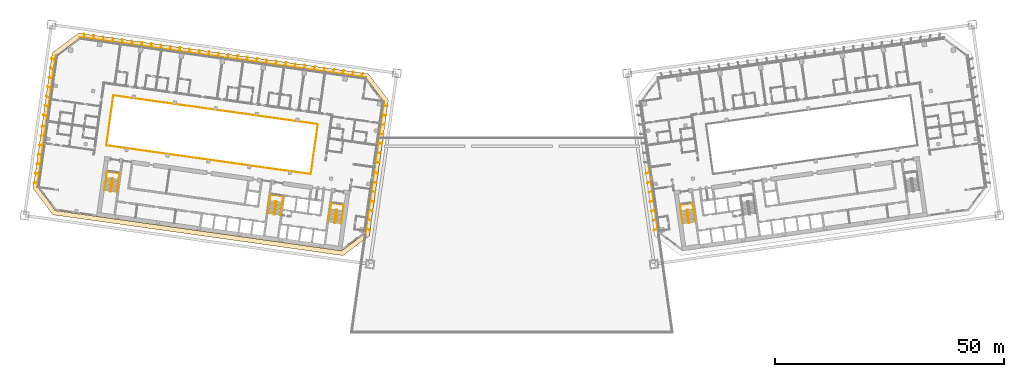
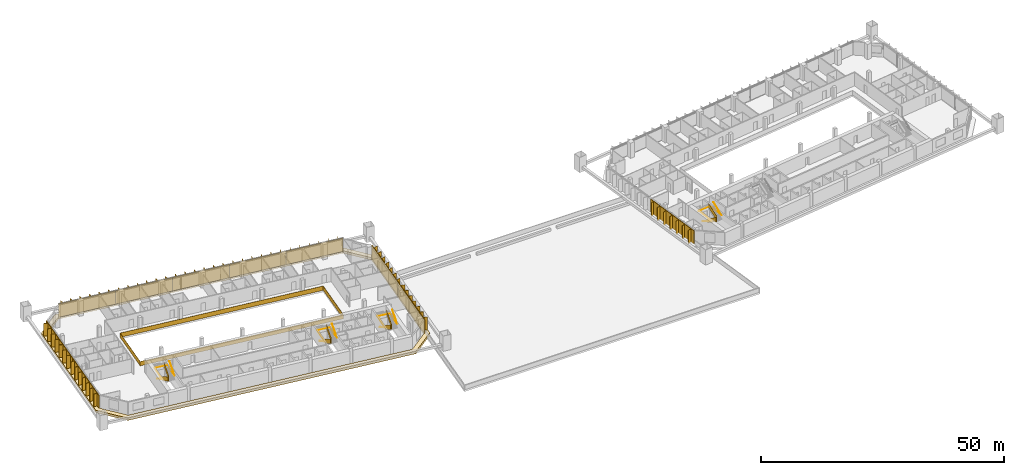
# One storey, part 45 of 46: 10 shading devices, 9 railings, 1 covering.
"""IFC4 building model written with IfcOpenShell, lengths in metres."""

import ifcopenshell
import ifcopenshell.guid

model = None  # the IFC model being written
_history = None  # IfcOwnerHistory: only IFC2X3 demands one
_inside = {}  # id of a spatial element -> (the spatial element, [elements in it])
_under = {}  # id of a project, library or spatial element -> (it, [spatial elements below it])
_declared = {}  # id of a project -> (the project, [libraries it declares])
_typed = {}  # id of a type object -> (the type object, [elements of that type])
_made_of = {}  # id of a material, layer set ... -> (it, [elements and type objects made of it])


def new_model(schema):
    """Start an empty IFC model of exactly this schema.

    Asked for "IFC4X3", IfcOpenShell would pick the latest addendum, in which some entities
    have other attributes; the version numbers below select the first issue.
    IFC2X3 requires an IfcOwnerHistory on every rooted entity: one is made here for all.
    """
    global model, _history
    if schema == "IFC4X3":
        model = ifcopenshell.file(schema_version=(4, 3, 0, 0))
    else:
        model = ifcopenshell.file(schema=schema)
    _inside.clear()
    _under.clear()
    _declared.clear()
    _typed.clear()
    _made_of.clear()
    _history = None
    if model.schema == "IFC2X3":
        org = make("IfcOrganization", Name="unknown")
        user = make(
            "IfcPersonAndOrganization",
            ThePerson=make("IfcPerson", FamilyName="unknown"),
            TheOrganization=org,
        )
        app = make(
            "IfcApplication",
            ApplicationDeveloper=org,
            Version="unknown",
            ApplicationFullName="unknown",
            ApplicationIdentifier="unknown",
        )
        _history = make(
            "IfcOwnerHistory",
            OwningUser=user,
            OwningApplication=app,
            ChangeAction="ADDED",
            CreationDate=0,
        )
    return model


def make(cls, **values):
    """One entity of the class cls with the attributes given. An attribute that is None is left unset."""
    return model.create_entity(
        cls, **{name: value for name, value in values.items() if value is not None}
    )


def rooted(cls, **values):
    """An entity with a GlobalId (a new one), such as an element, a storey or a relation."""
    return make(cls, GlobalId=ifcopenshell.guid.new(), OwnerHistory=_history, **values)


def si_unit(unit_type, name, prefix=None):
    """IfcSIUnit, for example si_unit("LENGTHUNIT", "METRE", prefix="MILLI")."""
    return make("IfcSIUnit", UnitType=unit_type, Prefix=prefix, Name=name)


def assignment(units):
    """IfcUnitAssignment: the units of a project."""
    return None if units is None else make("IfcUnitAssignment", Units=units)


def point(xyz):
    """IfcCartesianPoint."""
    return None if xyz is None else make("IfcCartesianPoint", Coordinates=xyz)


def direction(xyz):
    """IfcDirection."""
    return None if xyz is None else make("IfcDirection", DirectionRatios=xyz)


def frame(location, z_axis=None, x_axis=None):
    """IfcAxis2Placement3D, a coordinate frame: its origin and axes. An axis left out is left unset."""
    return make(
        "IfcAxis2Placement3D",
        Location=point(location),
        Axis=direction(z_axis),
        RefDirection=direction(x_axis),
    )


def frame_2d(location, x_axis=None):
    """IfcAxis2Placement2D, a coordinate frame in the plane: its origin and x axis."""
    return make(
        "IfcAxis2Placement2D", Location=point(location), RefDirection=direction(x_axis)
    )


def origin():
    """The frame at (0, 0, 0) with its axes left unset."""
    return frame((0.0, 0.0, 0.0))


def origin_2d():
    """The frame at (0, 0) in the plane with its x axis left unset."""
    return frame_2d((0.0, 0.0))


def place(relative_to, where):
    """IfcLocalPlacement: puts the frame where relative to a parent placement (None: the world)."""
    return make(
        "IfcLocalPlacement", PlacementRelTo=relative_to, RelativePlacement=where
    )


def context(
    kind, dimensions, precision=None, world=None, true_north=None, identifier=None
):
    """IfcGeometricRepresentationContext, for example the 3D "Model" context."""
    return make(
        "IfcGeometricRepresentationContext",
        ContextIdentifier=identifier,
        ContextType=kind,
        CoordinateSpaceDimension=dimensions,
        Precision=precision,
        WorldCoordinateSystem=world,
        TrueNorth=true_north,
    )


def subcontext(parent, identifier, kind, view, scale=None):
    """IfcGeometricRepresentationSubContext, for example "Body" below "Model"."""
    return make(
        "IfcGeometricRepresentationSubContext",
        ContextIdentifier=identifier,
        ContextType=kind,
        ParentContext=parent,
        TargetScale=scale,
        TargetView=view,
    )


def project(units=None, contexts=None):
    """IfcProject with its units and contexts."""
    return rooted(
        "IfcProject",
        Name="project",
        RepresentationContexts=contexts,
        UnitsInContext=assignment(units),
    )


def spatial(cls, under=None, at=None, **own):
    """A site, building, storey or space (cls), placed at a placement, below another one or the project."""
    s = rooted(cls, ObjectPlacement=at, **own)
    if under is not None:
        _under.setdefault(under.id(), (under, []))[1].append(s)
    return s


def polyline(points):
    """IfcPolyline through the points."""
    return make("IfcPolyline", Points=[point(p) for p in points])


def profile(cls, at=None, kind="AREA", **sizes):
    """A parametric profile (cls). Its sizes go by their IFC names, for example OverallWidth=200.0."""
    return make(cls, ProfileType=kind, Position=at, **sizes)


def rectangle(**sizes):
    """IfcRectangleProfileDef."""
    return profile("IfcRectangleProfileDef", **sizes)


def outline(outer, holes=None, kind="AREA"):
    """IfcArbitraryClosedProfileDef: a profile drawn as a closed curve; with holes, ...WithVoids."""
    if holes is None:
        return make("IfcArbitraryClosedProfileDef", ProfileType=kind, OuterCurve=outer)
    return make(
        "IfcArbitraryProfileDefWithVoids",
        ProfileType=kind,
        OuterCurve=outer,
        InnerCurves=holes,
    )


def extrude(swept, where, along, depth):
    """IfcExtrudedAreaSolid: the profile swept, set in the frame where, extruded along a direction by depth."""
    return make(
        "IfcExtrudedAreaSolid",
        SweptArea=swept,
        Position=where,
        ExtrudedDirection=direction(along),
        Depth=depth,
    )


def shape(context_of_items, identifier, shape_type, items):
    """IfcShapeRepresentation: the items that make up one representation, for example the "Body"."""
    return make(
        "IfcShapeRepresentation",
        ContextOfItems=context_of_items,
        RepresentationIdentifier=identifier,
        RepresentationType=shape_type,
        Items=items,
    )


def material(Name=None, Category=None):
    """IfcMaterial."""
    return make("IfcMaterial", Name=Name, Category=Category)


def layer(
    of_material, thickness, ventilated=None, Name=None, Category=None, Priority=None
):
    """IfcMaterialLayer: one layer of a wall or slab, of a material (None: an air gap)."""
    return make(
        "IfcMaterialLayer",
        Material=of_material,
        LayerThickness=thickness,
        IsVentilated=ventilated,
        Name=Name,
        Category=Category,
        Priority=Priority,
    )


def layer_set(layers, Name=None):
    """IfcMaterialLayerSet."""
    return make("IfcMaterialLayerSet", MaterialLayers=layers, LayerSetName=Name)


def made_of(thing, what):
    """Note that an element or type object is made of a material, layer set ...; save() writes the relation."""
    if what is not None:
        _made_of.setdefault(what.id(), (what, []))[1].append(thing)
    return thing


def type_object(cls, material=None, **own):
    """A type object (cls), such as IfcWallType, which elements share."""
    return made_of(rooted(cls, **own), material)


def element(
    cls,
    number,
    at=None,
    inside=None,
    cuts=None,
    type_object=None,
    material=None,
    context=None,
    identifier="Body",
    shape_type=None,
    held_by="IfcProductDefinitionShape",
    body=None,
    shapes=None,
    **own,
):
    """One element of the class cls, such as IfcWall. Its Tag is "e" and its number.

    at: its placement. inside: the storey or other place that contains it. cuts: it is an
    opening in that element (IfcRelVoidsElement). A single representation is given by context,
    identifier, shape_type and body (its items); several are given by shapes. held_by: the class
    of the entity that holds the representations. save() writes the other relations.
    """
    e = rooted(cls, Tag="e%d" % number, ObjectPlacement=at, **own)
    if body is not None:
        shapes = [shape(context, identifier, shape_type, body)]
    if shapes is not None:
        e.Representation = make(held_by, Representations=shapes)
    if inside is not None:
        _inside.setdefault(inside.id(), (inside, []))[1].append(e)
    if cuts is not None:
        rooted(
            "IfcRelVoidsElement", RelatingBuildingElement=cuts, RelatedOpeningElement=e
        )
    if type_object is not None:
        _typed.setdefault(type_object.id(), (type_object, []))[1].append(e)
    return made_of(e, material)


def aggregate(whole, parts):
    """IfcRelAggregates: a whole, such as a stair, and the parts it consists of."""
    return rooted("IfcRelAggregates", RelatingObject=whole, RelatedObjects=parts)


def save(model, path):
    """Write the relations noted so far, then the file.

    IfcRelAggregates (storeys below a building ...), IfcRelContainedInSpatialStructure (elements
    in a storey), IfcRelDefinesByType, IfcRelAssociatesMaterial and IfcRelDeclares: one each for
    every whole, place, type object, material and project.
    """
    for whole, parts in _under.values():
        aggregate(whole, parts)
    for where, things in _inside.values():
        rooted(
            "IfcRelContainedInSpatialStructure",
            RelatedElements=things,
            RelatingStructure=where,
        )
    for kind, things in _typed.values():
        rooted("IfcRelDefinesByType", RelatedObjects=things, RelatingType=kind)
    for what, things in _made_of.values():
        rooted("IfcRelAssociatesMaterial", RelatedObjects=things, RelatingMaterial=what)
    for by, libraries in _declared.values():
        rooted("IfcRelDeclares", RelatingContext=by, RelatedDefinitions=libraries)
    model.write(path)


model = new_model("IFC4")

# Units and contexts
model_context = context("Model", 3, precision=1e-05, world=origin(), true_north=direction((0.0, 1.0)))
body_context = subcontext(model_context, "Body", "Model", "MODEL_VIEW")
ifc_project = project(units=[si_unit("LENGTHUNIT", "METRE"), si_unit("AREAUNIT", "SQUARE_METRE"), si_unit("VOLUMEUNIT", "CUBIC_METRE"), si_unit("PLANEANGLEUNIT", "RADIAN"), si_unit("MASSUNIT", "GRAM", prefix="KILO")], contexts=[model_context])

# Site, building, storey
site_placement = place(None, origin())
site = spatial("IfcSite", under=ifc_project, at=site_placement, CompositionType="ELEMENT")
building_placement = place(site_placement, origin())
building = spatial("IfcBuilding", under=site, at=building_placement, Name="Mirante Cascada Hotel Towers", CompositionType="ELEMENT")
storey_placement = place(building_placement, frame((0.0, 0.0, 39.5)))
storey = spatial("IfcBuildingStorey", under=building, at=storey_placement, Name="L06", CompositionType="ELEMENT", Elevation=39.5)

# Railing
ifc_material_1 = material(Name="Toughened glass with stainless steel handrail", Category="steel")
railing_type_1 = type_object("IfcRailingType", Name="Atrium guard 1100 glass balustrade", PredefinedType="GUARDRAIL", material=ifc_material_1)
railing_1_placement = place(storey_placement, frame((-43.8418, -3.4881, 0.0)))
element("IfcRailing", 1, at=railing_1_placement, inside=storey, type_object=railing_type_1, Name="GUARD 1-L06-1", PredefinedType="GUARDRAIL", context=body_context, shape_type="SweptSolid", body=[
    extrude(rectangle(XDim=0.048, YDim=0.048, at=origin_2d()), frame((0.0, 0.0, 1.076), z_axis=(-0.9902681, 0.1391732, 0.0), x_axis=(-0.1391732, -0.9902681, 0.0)), (0.0, 0.0, 1.0), 45.0),
    extrude(rectangle(XDim=0.02, YDim=1.052, at=origin_2d()), frame((0.0, 0.0, 0.526), z_axis=(-0.9902681, 0.1391732, 0.0), x_axis=(-0.1391732, -0.9902681, 0.0)), (0.0, 0.0, 1.0), 45.0),
    extrude(rectangle(XDim=0.048, YDim=0.048, at=origin_2d()), frame((-44.5621, 6.2628, 1.076), z_axis=(0.1391721, 0.9902682, 0.0), x_axis=(-0.9902682, 0.1391721, 0.0)), (0.0, 0.0, 1.0), 11.0001),
    extrude(rectangle(XDim=0.02, YDim=1.052, at=origin_2d()), frame((-44.5621, 6.2628, 0.526), z_axis=(0.1391721, 0.9902682, 0.0), x_axis=(-0.9902682, 0.1391721, 0.0)), (0.0, 0.0, 1.0), 11.0001),
    extrude(rectangle(XDim=0.048, YDim=0.048, at=origin_2d()), frame((-43.0312, 17.1558, 1.076), z_axis=(0.9902681, -0.1391732, 0.0), x_axis=(0.1391732, 0.9902681, 0.0)), (0.0, 0.0, 1.0), 45.0),
    extrude(rectangle(XDim=0.02, YDim=1.052, at=origin_2d()), frame((-43.0312, 17.1558, 0.526), z_axis=(0.9902681, -0.1391732, 0.0), x_axis=(0.1391732, 0.9902681, 0.0)), (0.0, 0.0, 1.0), 45.0),
    extrude(rectangle(XDim=0.048, YDim=0.048, at=origin_2d()), frame((1.5309, 10.893, 1.076), z_axis=(-0.1391721, -0.9902682, 0.0), x_axis=(0.9902682, -0.1391721, 0.0)), (0.0, 0.0, 1.0), 11.0001),
    extrude(rectangle(XDim=0.02, YDim=1.052, at=origin_2d()), frame((1.5309, 10.893, 0.526), z_axis=(-0.1391721, -0.9902682, 0.0), x_axis=(0.9902682, -0.1391721, 0.0)), (0.0, 0.0, 1.0), 11.0001),
])

# Covering
ifc_material_2 = material(Name="Precast concrete C40/50 white", Category="concrete")
ifc_layer = layer(ifc_material_2, 0.6)
ifc_layer_set = layer_set([ifc_layer], Name="Precast concrete SUNSHADE band 1000x600")
covering_type = type_object("IfcCoveringType", Name="Precast concrete SUNSHADE band 1000x600", PredefinedType="CLADDING", material=ifc_layer_set)
covering_placement = place(storey_placement, frame((0.0, 0.0, -0.45)))
element("IfcCovering", 2, at=covering_placement, inside=storey, type_object=covering_type, Name="Precast concrete SUNSHADE band T1 L06", PredefinedType="CLADDING", context=body_context, shape_type="SweptSolid", body=[
    extrude(outline(polyline([(-104.3652, -6.6094), (-100.2139, 22.9287), (-94.4698, 27.2572), (-31.2626, 18.374), (-26.9341, 12.6299), (-31.0854, -16.9082), (-36.8295, -21.2367), (-100.0367, -12.3535), (-104.3652, -6.6094)]), holes=[polyline([(-27.982, 12.3589), (-31.8119, 17.4414), (-94.1988, 26.2093), (-99.2813, 22.3794), (-103.3173, -6.3384), (-99.4874, -11.4209), (-37.1005, -20.1888), (-32.018, -16.3589), (-27.982, 12.3589)])]), origin(), (0.0, 0.0, 1.0), 0.6),
])

# Railings
ifc_material_3 = material(Name="Painted steel", Category="steel")
railing_type_2 = type_object("IfcRailingType", Name="Stair guard 1100 steel balustrade", PredefinedType="GUARDRAIL", material=ifc_material_3)
railing_2_placement = place(storey_placement, frame((-38.1178, -11.2603, 0.0)))
element("IfcRailing", 3, at=railing_2_placement, inside=storey, type_object=railing_type_2, Name="L06 ST1-A stair guard 1", PredefinedType="GUARDRAIL", context=body_context, shape_type="SweptSolid", body=[
    extrude(rectangle(XDim=0.048, YDim=0.048, at=origin_2d()), frame((0.0, 0.0, 1.076), z_axis=(-0.9903326, 0.1387133, 0.0), x_axis=(-0.1387133, -0.9903326, 0.0)), (0.0, 0.0, 1.0), 0.1499),
    extrude(rectangle(XDim=0.02, YDim=1.052, at=origin_2d()), frame((0.0, 0.0, 0.526), z_axis=(-0.9903326, 0.1387133, 0.0), x_axis=(-0.1387133, -0.9903326, 0.0)), (0.0, 0.0, 1.0), 0.1499),
    extrude(rectangle(XDim=0.048, YDim=0.048, at=origin_2d()), frame((-0.1485, 0.0208, 1.076), z_axis=(-0.7991505, -0.6011309, 0.0), x_axis=(0.6011309, -0.7991505, 0.0)), (0.0, 0.9254529, 0.3788627), 0.1866),
    extrude(rectangle(XDim=0.02, YDim=1.052, at=origin_2d()), frame((-0.1485, 0.0208, 0.526), z_axis=(-0.7991505, -0.6011309, 0.0), x_axis=(0.6011309, -0.7991505, 0.0)), (0.0, 0.9254529, 0.3788627), 0.1866),
    extrude(rectangle(XDim=0.048, YDim=0.048, at=origin_2d()), frame((-0.205, -0.0217, 1.2487), z_axis=(-0.139176, -0.9902677, 0.0), x_axis=(0.9902677, -0.139176, 0.0)), (0.0, 0.5250212, 0.8510891), 3.29),
    extrude(rectangle(XDim=0.02, YDim=1.052, at=origin_2d()), frame((-0.205, -0.0217, 0.6987), z_axis=(-0.139176, -0.9902677, 0.0), x_axis=(0.9902677, -0.139176, 0.0)), (0.0, 0.5250212, 0.8510891), 3.29),
    extrude(rectangle(XDim=0.048, YDim=0.048, at=origin_2d()), frame((-0.5947, -2.7945, 2.976), z_axis=(0.9270311, -0.3749843, 0.0), x_axis=(0.3749843, 0.9270311, 0.0)), (0.0, 0.0, 1.0), 0.2061),
    extrude(rectangle(XDim=0.02, YDim=1.052, at=origin_2d()), frame((-0.5947, -2.7945, 2.426), z_axis=(0.9270311, -0.3749843, 0.0), x_axis=(0.3749843, 0.9270311, 0.0)), (0.0, 0.0, 1.0), 0.2061),
    extrude(rectangle(XDim=0.048, YDim=0.048, at=origin_2d()), frame((-0.4036, -2.8718, 2.976), z_axis=(-0.9902408, 0.1393672, 0.0), x_axis=(-0.1393672, -0.9902408, 0.0)), (0.0, 0.0, 1.0), 0.15),
    extrude(rectangle(XDim=0.02, YDim=1.052, at=origin_2d()), frame((-0.4036, -2.8718, 2.426), z_axis=(-0.9902408, 0.1393672, 0.0), x_axis=(-0.1393672, -0.9902408, 0.0)), (0.0, 0.0, 1.0), 0.15),
    extrude(rectangle(XDim=0.048, YDim=0.048, at=origin_2d()), frame((-0.5521, -2.8509, 2.976), z_axis=(0.9944948, 0.1047858, 0.0), x_axis=(-0.1047858, 0.9944948, 0.0)), (0.0, 0.6422034, 0.7665343), 0.2689),
    extrude(rectangle(XDim=0.02, YDim=1.052, at=origin_2d()), frame((-0.5521, -2.8509, 2.426), z_axis=(0.9944948, 0.1047858, 0.0), x_axis=(-0.1047858, 0.9944948, 0.0)), (0.0, 0.6422034, 0.7665343), 0.2689),
    extrude(rectangle(XDim=0.048, YDim=0.048, at=origin_2d()), frame((-0.3471, -2.8293, 3.1487), z_axis=(0.139176, 0.9902677, 0.0), x_axis=(-0.9902677, 0.139176, 0.0)), (0.0, 0.5250212, 0.8510891), 3.29),
    extrude(rectangle(XDim=0.02, YDim=1.052, at=origin_2d()), frame((-0.3471, -2.8293, 2.5987), z_axis=(0.139176, 0.9902677, 0.0), x_axis=(-0.9902677, 0.139176, 0.0)), (0.0, 0.5250212, 0.8510891), 3.29),
])
railing_3_placement = place(storey_placement, frame((-51.3379, -9.4024, 0.0)))
element("IfcRailing", 4, at=railing_3_placement, inside=storey, type_object=railing_type_2, Name="L06 ST1-B stair guard 1", PredefinedType="GUARDRAIL", context=body_context, shape_type="SweptSolid", body=[
    extrude(rectangle(XDim=0.048, YDim=0.048, at=origin_2d()), frame((0.0, 0.0, 1.076), z_axis=(-0.9902408, 0.1393672, 0.0), x_axis=(-0.1393672, -0.9902408, 0.0)), (0.0, 0.0, 1.0), 0.15),
    extrude(rectangle(XDim=0.02, YDim=1.052, at=origin_2d()), frame((0.0, 0.0, 0.526), z_axis=(-0.9902408, 0.1393672, 0.0), x_axis=(-0.1393672, -0.9902408, 0.0)), (0.0, 0.0, 1.0), 0.15),
    extrude(rectangle(XDim=0.048, YDim=0.048, at=origin_2d()), frame((-0.1485, 0.0209, 1.076), z_axis=(-0.7984711, -0.6020331, 0.0), x_axis=(0.6020331, -0.7984711, 0.0)), (0.0, 0.9253398, 0.3791387), 0.1866),
    extrude(rectangle(XDim=0.02, YDim=1.052, at=origin_2d()), frame((-0.1485, 0.0209, 0.526), z_axis=(-0.7984711, -0.6020331, 0.0), x_axis=(0.6020331, -0.7984711, 0.0)), (0.0, 0.9253398, 0.3791387), 0.1866),
    extrude(rectangle(XDim=0.048, YDim=0.048, at=origin_2d()), frame((-0.205, -0.0217, 1.2487), z_axis=(-0.139181, -0.990267, 0.0), x_axis=(0.990267, -0.139181, 0.0)), (0.0, 0.5250347, 0.8510808), 3.2899),
    extrude(rectangle(XDim=0.02, YDim=1.052, at=origin_2d()), frame((-0.205, -0.0217, 0.6987), z_axis=(-0.139181, -0.990267, 0.0), x_axis=(0.990267, -0.139181, 0.0)), (0.0, 0.5250347, 0.8510808), 3.2899),
    extrude(rectangle(XDim=0.048, YDim=0.048, at=origin_2d()), frame((-0.5947, -2.7944, 2.976), z_axis=(0.9268624, -0.3754011, 0.0), x_axis=(0.3754011, 0.9268624, 0.0)), (0.0, 0.0, 1.0), 0.2062),
    extrude(rectangle(XDim=0.02, YDim=1.052, at=origin_2d()), frame((-0.5947, -2.7944, 2.426), z_axis=(0.9268624, -0.3754011, 0.0), x_axis=(0.3754011, 0.9268624, 0.0)), (0.0, 0.0, 1.0), 0.2062),
    extrude(rectangle(XDim=0.048, YDim=0.048, at=origin_2d()), frame((-0.4036, -2.8718, 2.976), z_axis=(-0.9902408, 0.1393672, 0.0), x_axis=(-0.1393672, -0.9902408, 0.0)), (0.0, 0.0, 1.0), 0.15),
    extrude(rectangle(XDim=0.02, YDim=1.052, at=origin_2d()), frame((-0.4036, -2.8718, 2.426), z_axis=(-0.9902408, 0.1393672, 0.0), x_axis=(-0.1393672, -0.9902408, 0.0)), (0.0, 0.0, 1.0), 0.15),
    extrude(rectangle(XDim=0.048, YDim=0.048, at=origin_2d()), frame((-0.5521, -2.8509, 2.976), z_axis=(0.9944441, 0.1052656, 0.0), x_axis=(-0.1052656, 0.9944441, 0.0)), (0.0, 0.6421842, 0.7665504), 0.2689),
    extrude(rectangle(XDim=0.02, YDim=1.052, at=origin_2d()), frame((-0.5521, -2.8509, 2.426), z_axis=(0.9944441, 0.1052656, 0.0), x_axis=(-0.1052656, 0.9944441, 0.0)), (0.0, 0.6421842, 0.7665504), 0.2689),
    extrude(rectangle(XDim=0.048, YDim=0.048, at=origin_2d()), frame((-0.3471, -2.8292, 3.1487), z_axis=(0.139181, 0.990267, 0.0), x_axis=(-0.990267, 0.139181, 0.0)), (0.0, 0.5250347, 0.8510808), 3.2899),
    extrude(rectangle(XDim=0.02, YDim=1.052, at=origin_2d()), frame((-0.3471, -2.8292, 2.5987), z_axis=(0.139181, 0.990267, 0.0), x_axis=(-0.990267, 0.139181, 0.0)), (0.0, 0.5250347, 0.8510808), 3.2899),
])
railing_4_placement = place(storey_placement, frame((-86.9875, -4.3922, 0.0)))
element("IfcRailing", 5, at=railing_4_placement, inside=storey, type_object=railing_type_2, Name="L06 ST1-C stair guard 1", PredefinedType="GUARDRAIL", context=body_context, shape_type="SweptSolid", body=[
    extrude(rectangle(XDim=0.048, YDim=0.048, at=origin_2d()), frame((0.0, 0.0, 1.076), z_axis=(-0.9902537, 0.1392753, 0.0), x_axis=(-0.1392753, -0.9902537, 0.0)), (0.0, 0.0, 1.0), 0.1501),
    extrude(rectangle(XDim=0.02, YDim=1.052, at=origin_2d()), frame((0.0, 0.0, 0.526), z_axis=(-0.9902537, 0.1392753, 0.0), x_axis=(-0.1392753, -0.9902537, 0.0)), (0.0, 0.0, 1.0), 0.1501),
    extrude(rectangle(XDim=0.048, YDim=0.048, at=origin_2d()), frame((-0.1486, 0.0209, 1.076), z_axis=(-0.7986386, -0.601811, 0.0), x_axis=(0.601811, -0.7986386, 0.0)), (0.0, 0.925603, 0.3784959), 0.1866),
    extrude(rectangle(XDim=0.02, YDim=1.052, at=origin_2d()), frame((-0.1486, 0.0209, 0.526), z_axis=(-0.7986386, -0.601811, 0.0), x_axis=(0.601811, -0.7986386, 0.0)), (0.0, 0.925603, 0.3784959), 0.1866),
    extrude(rectangle(XDim=0.048, YDim=0.048, at=origin_2d()), frame((-0.205, -0.0216, 1.2487), z_axis=(-0.139176, -0.9902677, 0.0), x_axis=(0.9902677, -0.139176, 0.0)), (0.0, 0.5250212, 0.8510891), 3.29),
    extrude(rectangle(XDim=0.02, YDim=1.052, at=origin_2d()), frame((-0.205, -0.0216, 0.6987), z_axis=(-0.139176, -0.9902677, 0.0), x_axis=(0.9902677, -0.139176, 0.0)), (0.0, 0.5250212, 0.8510891), 3.29),
    extrude(rectangle(XDim=0.048, YDim=0.048, at=origin_2d()), frame((-0.5947, -2.7944, 2.976), z_axis=(0.9270311, -0.3749843, 0.0), x_axis=(0.3749843, 0.9270311, 0.0)), (0.0, 0.0, 1.0), 0.2061),
    extrude(rectangle(XDim=0.02, YDim=1.052, at=origin_2d()), frame((-0.5947, -2.7944, 2.426), z_axis=(0.9270311, -0.3749843, 0.0), x_axis=(0.3749843, 0.9270311, 0.0)), (0.0, 0.0, 1.0), 0.2061),
    extrude(rectangle(XDim=0.048, YDim=0.048, at=origin_2d()), frame((-0.4036, -2.8717, 2.976), z_axis=(-0.9903454, 0.1386217, 0.0), x_axis=(-0.1386217, -0.9903454, 0.0)), (0.0, 0.0, 1.0), 0.15),
    extrude(rectangle(XDim=0.02, YDim=1.052, at=origin_2d()), frame((-0.4036, -2.8717, 2.426), z_axis=(-0.9903454, 0.1386217, 0.0), x_axis=(-0.1386217, -0.9903454, 0.0)), (0.0, 0.0, 1.0), 0.15),
    extrude(rectangle(XDim=0.048, YDim=0.048, at=origin_2d()), frame((-0.5522, -2.8509, 2.976), z_axis=(0.9944441, 0.1052656, 0.0), x_axis=(-0.1052656, 0.9944441, 0.0)), (0.0, 0.6421842, 0.7665504), 0.2689),
    extrude(rectangle(XDim=0.02, YDim=1.052, at=origin_2d()), frame((-0.5522, -2.8509, 2.426), z_axis=(0.9944441, 0.1052656, 0.0), x_axis=(-0.1052656, 0.9944441, 0.0)), (0.0, 0.6421842, 0.7665504), 0.2689),
    extrude(rectangle(XDim=0.048, YDim=0.048, at=origin_2d()), frame((-0.3472, -2.8292, 3.1487), z_axis=(0.139176, 0.9902677, 0.0), x_axis=(-0.9902677, 0.139176, 0.0)), (0.0, 0.5250212, 0.8510891), 3.29),
    extrude(rectangle(XDim=0.02, YDim=1.052, at=origin_2d()), frame((-0.3472, -2.8292, 2.5987), z_axis=(0.139176, 0.9902677, 0.0), x_axis=(-0.9902677, 0.139176, 0.0)), (0.0, 0.5250212, 0.8510891), 3.29),
])
railing_5_placement = place(storey_placement, frame((38.2663, -11.2395, 0.0)))
element("IfcRailing", 6, at=railing_5_placement, inside=storey, type_object=railing_type_2, Name="L06 ST2-A stair guard 1", PredefinedType="GUARDRAIL", context=body_context, shape_type="SweptSolid", body=[
    extrude(rectangle(XDim=0.048, YDim=0.048, at=origin_2d()), frame((0.0, 0.0, 1.076), z_axis=(-0.9903326, -0.1387133, 0.0), x_axis=(0.1387133, -0.9903326, 0.0)), (0.0, 0.0, 1.0), 0.1499),
    extrude(rectangle(XDim=0.02, YDim=1.052, at=origin_2d()), frame((0.0, 0.0, 0.526), z_axis=(-0.9903326, -0.1387133, 0.0), x_axis=(0.1387133, -0.9903326, 0.0)), (0.0, 0.0, 1.0), 0.1499),
    extrude(rectangle(XDim=0.048, YDim=0.048, at=origin_2d()), frame((-0.1485, -0.0208, 1.076), z_axis=(-0.6020331, -0.7984711, 0.0), x_axis=(0.7984711, -0.6020331, 0.0)), (0.0, 0.9253398, 0.3791387), 0.1866),
    extrude(rectangle(XDim=0.02, YDim=1.052, at=origin_2d()), frame((-0.1485, -0.0208, 0.526), z_axis=(-0.6020331, -0.7984711, 0.0), x_axis=(0.7984711, -0.6020331, 0.0)), (0.0, 0.9253398, 0.3791387), 0.1866),
    extrude(rectangle(XDim=0.048, YDim=0.048, at=origin_2d()), frame((-0.1911, -0.0773, 1.2487), z_axis=(0.139176, -0.9902677, 0.0), x_axis=(0.9902677, 0.139176, 0.0)), (0.0, 0.5250212, 0.8510891), 3.29),
    extrude(rectangle(XDim=0.02, YDim=1.052, at=origin_2d()), frame((-0.1911, -0.0773, 0.6987), z_axis=(0.139176, -0.9902677, 0.0), x_axis=(0.9902677, 0.139176, 0.0)), (0.0, 0.5250212, 0.8510891), 3.29),
    extrude(rectangle(XDim=0.048, YDim=0.048, at=origin_2d()), frame((0.1986, -2.8501, 2.976), z_axis=(0.9944948, -0.1047858, 0.0), x_axis=(0.1047858, 0.9944948, 0.0)), (0.0, 0.0, 1.0), 0.2061),
    extrude(rectangle(XDim=0.02, YDim=1.052, at=origin_2d()), frame((0.1986, -2.8501, 2.426), z_axis=(0.9944948, -0.1047858, 0.0), x_axis=(0.1047858, 0.9944948, 0.0)), (0.0, 0.0, 1.0), 0.2061),
    extrude(rectangle(XDim=0.048, YDim=0.048, at=origin_2d()), frame((0.4036, -2.8717, 2.976), z_axis=(-0.9902408, -0.1393672, 0.0), x_axis=(0.1393672, -0.9902408, 0.0)), (0.0, 0.0, 1.0), 0.15),
    extrude(rectangle(XDim=0.02, YDim=1.052, at=origin_2d()), frame((0.4036, -2.8717, 2.426), z_axis=(-0.9902408, -0.1393672, 0.0), x_axis=(0.1393672, -0.9902408, 0.0)), (0.0, 0.0, 1.0), 0.15),
    extrude(rectangle(XDim=0.048, YDim=0.048, at=origin_2d()), frame((0.2551, -2.8926, 2.976), z_axis=(0.9270311, 0.3749843, 0.0), x_axis=(-0.3749843, 0.9270311, 0.0)), (0.0, 0.6421903, 0.7665452), 0.2689),
    extrude(rectangle(XDim=0.02, YDim=1.052, at=origin_2d()), frame((0.2551, -2.8926, 2.426), z_axis=(0.9270311, 0.3749843, 0.0), x_axis=(-0.3749843, 0.9270311, 0.0)), (0.0, 0.6421903, 0.7665452), 0.2689),
    extrude(rectangle(XDim=0.048, YDim=0.048, at=origin_2d()), frame((0.4462, -2.8153, 3.1487), z_axis=(-0.139176, 0.9902677, 0.0), x_axis=(-0.9902677, -0.139176, 0.0)), (0.0, 0.5250212, 0.8510891), 3.29),
    extrude(rectangle(XDim=0.02, YDim=1.052, at=origin_2d()), frame((0.4462, -2.8153, 2.5987), z_axis=(-0.139176, 0.9902677, 0.0), x_axis=(-0.9902677, -0.139176, 0.0)), (0.0, 0.5250212, 0.8510891), 3.29),
])
ifc_material_4 = material(Name="Painted steel", Category="steel")
railing_type_3 = type_object("IfcRailingType", Name="Stair handrail 900 steel tube", PredefinedType="HANDRAIL", material=ifc_material_4)
railing_6_placement = place(storey_placement, frame((-39.5606, -11.1081, 0.1727)))
element("IfcRailing", 7, at=railing_6_placement, inside=storey, type_object=railing_type_3, Name="L06 ST1-A stair handrail 1", PredefinedType="HANDRAIL", context=body_context, shape_type="SweptSolid", body=[
    extrude(rectangle(XDim=0.048, YDim=0.048, at=origin_2d()), frame((0.0, 0.0, 0.876), z_axis=(-0.139181, -0.990267, 0.0), x_axis=(0.990267, -0.139181, 0.0)), (0.0, 0.5250347, 0.8510808), 3.2899),
    extrude(rectangle(XDim=0.048, YDim=0.048, at=origin_2d()), frame((-0.3897, -2.7727, 2.6033), z_axis=(0.1391707, 0.9902684, 0.0), x_axis=(-0.9902684, 0.1391707, 0.0)), (0.0, 0.0420846, 0.999114), 4.1036),
    extrude(rectangle(XDim=0.048, YDim=0.048, at=origin_2d()), frame((0.1809, 1.2874, 2.776), z_axis=(0.9902691, -0.1391657, 0.0), x_axis=(0.1391657, 0.9902691, 0.0)), (0.0, 0.0, 1.0), 2.75),
    extrude(rectangle(XDim=0.048, YDim=0.048, at=origin_2d()), frame((2.9041, 0.9047, 2.776), z_axis=(-0.1391707, -0.9902684, 0.0), x_axis=(0.9902684, -0.1391707, 0.0)), (0.0, 0.0, 1.0), 4.1),
    extrude(rectangle(XDim=0.048, YDim=0.048, at=origin_2d()), frame((2.3335, -3.1554, 2.776), z_axis=(0.139181, 0.990267, 0.0), x_axis=(-0.990267, 0.139181, 0.0)), (0.0, 0.5250347, 0.8510808), 3.2899),
])
railing_7_placement = place(storey_placement, frame((-52.7807, -9.2501, 0.1727)))
element("IfcRailing", 8, at=railing_7_placement, inside=storey, type_object=railing_type_3, Name="L06 ST1-B stair handrail 1", PredefinedType="HANDRAIL", context=body_context, shape_type="SweptSolid", body=[
    extrude(rectangle(XDim=0.048, YDim=0.048, at=origin_2d()), frame((0.0, 0.0, 0.876), z_axis=(-0.139181, -0.990267, 0.0), x_axis=(0.990267, -0.139181, 0.0)), (0.0, 0.5250347, 0.8510808), 3.2899),
    extrude(rectangle(XDim=0.048, YDim=0.048, at=origin_2d()), frame((-0.3897, -2.7727, 2.6033), z_axis=(0.1391707, 0.9902684, 0.0), x_axis=(-0.9902684, 0.1391707, 0.0)), (0.0, 0.0420846, 0.999114), 4.1036),
    extrude(rectangle(XDim=0.048, YDim=0.048, at=origin_2d()), frame((0.1809, 1.2874, 2.776), z_axis=(0.9902641, -0.1392013, 0.0), x_axis=(0.1392013, 0.9902641, 0.0)), (0.0, 0.0, 1.0), 2.75),
    extrude(rectangle(XDim=0.048, YDim=0.048, at=origin_2d()), frame((2.9041, 0.9046, 2.776), z_axis=(-0.1391707, -0.9902684, 0.0), x_axis=(0.9902684, -0.1391707, 0.0)), (0.0, 0.0, 1.0), 4.1),
    extrude(rectangle(XDim=0.048, YDim=0.048, at=origin_2d()), frame((2.3335, -3.1555, 2.776), z_axis=(0.139176, 0.9902677, 0.0), x_axis=(-0.9902677, 0.139176, 0.0)), (0.0, 0.5250212, 0.8510891), 3.29),
])
railing_8_placement = place(storey_placement, frame((-88.4304, -4.2399, 0.1727)))
element("IfcRailing", 9, at=railing_8_placement, inside=storey, type_object=railing_type_3, Name="L06 ST1-C stair handrail 1", PredefinedType="HANDRAIL", context=body_context, shape_type="SweptSolid", body=[
    extrude(rectangle(XDim=0.048, YDim=0.048, at=origin_2d()), frame((0.0, 0.0, 0.876), z_axis=(-0.139181, -0.990267, 0.0), x_axis=(0.990267, -0.139181, 0.0)), (0.0, 0.5250347, 0.8510808), 3.2899),
    extrude(rectangle(XDim=0.048, YDim=0.048, at=origin_2d()), frame((-0.3897, -2.7727, 2.6033), z_axis=(0.1391947, 0.990265, 0.0), x_axis=(-0.990265, 0.1391947, 0.0)), (0.0, 0.0420845, 0.9991141), 4.1036),
    extrude(rectangle(XDim=0.048, YDim=0.048, at=origin_2d()), frame((0.181, 1.2874, 2.776), z_axis=(0.9902691, -0.1391657, 0.0), x_axis=(0.1391657, 0.9902691, 0.0)), (0.0, 0.0, 1.0), 2.75),
    extrude(rectangle(XDim=0.048, YDim=0.048, at=origin_2d()), frame((2.9042, 0.9047, 2.776), z_axis=(-0.1391707, -0.9902684, 0.0), x_axis=(0.9902684, -0.1391707, 0.0)), (0.0, 0.0, 1.0), 4.1),
    extrude(rectangle(XDim=0.048, YDim=0.048, at=origin_2d()), frame((2.3336, -3.1554, 2.776), z_axis=(0.139181, 0.990267, 0.0), x_axis=(-0.990267, 0.139181, 0.0)), (0.0, 0.5250347, 0.8510808), 3.2899),
])
railing_9_placement = place(storey_placement, frame((36.8374, -11.4908, 0.1727)))
element("IfcRailing", 10, at=railing_9_placement, inside=storey, type_object=railing_type_3, Name="L06 ST2-A stair handrail 1", PredefinedType="HANDRAIL", context=body_context, shape_type="SweptSolid", body=[
    extrude(rectangle(XDim=0.048, YDim=0.048, at=origin_2d()), frame((0.0, 0.0, 0.876), z_axis=(0.139181, -0.990267, 0.0), x_axis=(0.990267, 0.139181, 0.0)), (0.0, 0.5250347, 0.8510808), 3.2899),
    extrude(rectangle(XDim=0.048, YDim=0.048, at=origin_2d()), frame((0.3897, -2.7727, 2.6033), z_axis=(-0.1391707, 0.9902684, 0.0), x_axis=(-0.9902684, -0.1391707, 0.0)), (0.0, 0.0420846, 0.999114), 4.1036),
    extrude(rectangle(XDim=0.048, YDim=0.048, at=origin_2d()), frame((-0.1809, 1.2874, 2.776), z_axis=(0.9902691, 0.1391657, 0.0), x_axis=(-0.1391657, 0.9902691, 0.0)), (0.0, 0.0, 1.0), 2.75),
    extrude(rectangle(XDim=0.048, YDim=0.048, at=origin_2d()), frame((2.5423, 1.6701, 2.776), z_axis=(0.1391707, -0.9902684, 0.0), x_axis=(0.9902684, 0.1391707, 0.0)), (0.0, 0.0, 1.0), 4.1),
    extrude(rectangle(XDim=0.048, YDim=0.048, at=origin_2d()), frame((3.1129, -2.39, 2.776), z_axis=(-0.139181, 0.990267, 0.0), x_axis=(-0.990267, -0.139181, 0.0)), (0.0, 0.5250347, 0.8510808), 3.2899),
])

# Shading devices
ifc_material_5 = material(Name="White precast concrete C50/60 fin", Category="concrete")
shading_device_type = type_object("IfcShadingDeviceType", Name="Vertical fin set 4500x900", PredefinedType="USERDEFINED", material=ifc_material_5)
shading_device_1_placement = place(storey_placement, origin())
element("IfcShadingDevice", 11, at=shading_device_1_placement, inside=storey, type_object=shading_device_type, Name="FIN T1 L06 front 1", ObjectType="FIN", PredefinedType="USERDEFINED", context=body_context, shape_type="SweptSolid", body=[
    extrude(outline(polyline([(-82.8173, 25.599), (-82.7126, 24.7465), (-81.7006, 24.6042), (-81.7214, 24.4557), (-94.1988, 26.2093), (-94.1779, 26.3578), (-93.1924, 26.2193), (-93.2945, 27.0506), (-93.2151, 27.0603), (-93.1104, 26.2078), (-91.1129, 25.9271), (-91.2149, 26.7583), (-91.1355, 26.7681), (-91.0308, 25.9155), (-89.0333, 25.6348), (-89.1354, 26.4661), (-89.056, 26.4758), (-88.9513, 25.6233), (-86.9537, 25.3425), (-87.0558, 26.1738), (-86.9764, 26.1835), (-86.8717, 25.331), (-84.8742, 25.0503), (-84.9762, 25.8815), (-84.8968, 25.8913), (-84.7922, 25.0387), (-82.7946, 24.758), (-82.8967, 25.5893), (-82.8173, 25.599)])), origin(), (0.0, 0.0, 1.0), 3.35),
])
shading_device_2_placement = place(storey_placement, origin())
element("IfcShadingDevice", 12, at=shading_device_2_placement, inside=storey, type_object=shading_device_type, Name="FIN T1 L06 front 2", ObjectType="FIN", PredefinedType="USERDEFINED", context=body_context, shape_type="SweptSolid", body=[
    extrude(outline(polyline([(-70.2221, 23.8469), (-70.2295, 22.9921), (-69.2232, 22.8507), (-69.2441, 22.7021), (-81.7214, 24.4557), (-81.7006, 24.6042), (-80.7072, 24.4646), (-80.6999, 25.3089), (-80.6199, 25.3082), (-80.6273, 24.4534), (-78.6277, 24.1724), (-78.6203, 25.0166), (-78.5403, 25.0159), (-78.5478, 24.1611), (-76.5481, 23.8801), (-76.5407, 24.7244), (-76.4608, 24.7237), (-76.4682, 23.8689), (-74.4686, 23.5878), (-74.4612, 24.4321), (-74.3812, 24.4314), (-74.3886, 23.5766), (-72.389, 23.2956), (-72.3816, 24.1399), (-72.3016, 24.1392), (-72.3091, 23.2844), (-70.3094, 23.0033), (-70.3021, 23.8476), (-70.2221, 23.8469)])), origin(), (0.0, 0.0, 1.0), 3.35),
])
shading_device_3_placement = place(storey_placement, origin())
element("IfcShadingDevice", 13, at=shading_device_3_placement, inside=storey, type_object=shading_device_type, Name="FIN T1 L06 front 3", ObjectType="FIN", PredefinedType="USERDEFINED", context=body_context, shape_type="SweptSolid", body=[
    extrude(outline(polyline([(-57.6277, 22.0794), (-57.746, 21.2376), (-56.7458, 21.0971), (-56.7667, 20.9485), (-69.2441, 22.7021), (-69.2232, 22.8507), (-68.223, 22.7101), (-68.1047, 23.5518), (-68.0255, 23.5407), (-68.1438, 22.699), (-66.1434, 22.4178), (-66.0251, 23.2596), (-65.9459, 23.2484), (-66.0642, 22.4067), (-64.0639, 22.1256), (-63.9456, 22.9673), (-63.8664, 22.9562), (-63.9847, 22.1144), (-61.9843, 21.8333), (-61.866, 22.675), (-61.7868, 22.6639), (-61.9051, 21.8222), (-59.9048, 21.541), (-59.7865, 22.3828), (-59.7072, 22.3716), (-59.8255, 21.5299), (-57.8252, 21.2488), (-57.7069, 22.0905), (-57.6277, 22.0794)])), origin(), (0.0, 0.0, 1.0), 3.35),
])
shading_device_4_placement = place(storey_placement, origin())
element("IfcShadingDevice", 14, at=shading_device_4_placement, inside=storey, type_object=shading_device_type, Name="FIN T1 L06 front 4", ObjectType="FIN", PredefinedType="USERDEFINED", context=body_context, shape_type="SweptSolid", body=[
    extrude(outline(polyline([(-45.0361, 20.2967), (-45.2617, 19.4831), (-44.2684, 19.3435), (-44.2893, 19.195), (-56.7667, 20.9485), (-56.7458, 21.0971), (-55.7394, 20.9556), (-55.511, 21.7794), (-55.4339, 21.758), (-55.6595, 20.9444), (-53.6599, 20.6634), (-53.4314, 21.4871), (-53.3544, 21.4657), (-53.58, 20.6521), (-51.5803, 20.3711), (-51.3519, 21.1949), (-51.2748, 21.1735), (-51.5004, 20.3599), (-49.5008, 20.0789), (-49.2723, 20.9026), (-49.1952, 20.8812), (-49.4209, 20.0676), (-47.4212, 19.7866), (-47.1928, 20.6103), (-47.1157, 20.589), (-47.3413, 19.7754), (-45.3416, 19.4943), (-45.1132, 20.3181), (-45.0361, 20.2967)])), origin(), (0.0, 0.0, 1.0), 3.35),
])
shading_device_5_placement = place(storey_placement, origin())
element("IfcShadingDevice", 15, at=shading_device_5_placement, inside=storey, type_object=shading_device_type, Name="FIN T1 L06 front 5", ObjectType="FIN", PredefinedType="USERDEFINED", context=body_context, shape_type="SweptSolid", body=[
    extrude(outline(polyline([(-32.4493, 18.4994), (-32.7765, 17.7284), (-31.791, 17.5899), (-31.8119, 17.4414), (-44.2893, 19.195), (-44.2684, 19.3435), (-43.2564, 19.2013), (-42.9208, 19.9919), (-42.8471, 19.9607), (-43.1744, 19.1897), (-41.1768, 18.909), (-40.8412, 19.6997), (-40.7676, 19.6684), (-41.0948, 18.8975), (-39.0973, 18.6167), (-38.7616, 19.4074), (-38.688, 19.3761), (-39.0152, 18.6052), (-37.0177, 18.3245), (-36.6821, 19.1151), (-36.6084, 19.0839), (-36.9357, 18.3129), (-34.9381, 18.0322), (-34.6025, 18.8229), (-34.5289, 18.7916), (-34.8561, 18.0207), (-32.8586, 17.7399), (-32.5229, 18.5306), (-32.4493, 18.4994)])), origin(), (0.0, 0.0, 1.0), 3.35),
])
shading_device_6_placement = place(storey_placement, origin())
element("IfcShadingDevice", 16, at=shading_device_6_placement, inside=storey, type_object=shading_device_type, Name="FIN T1 L06 inner 1", ObjectType="FIN", PredefinedType="USERDEFINED", context=body_context, shape_type="SweptSolid", body=[
    extrude(outline(polyline([(-29.7112, -1.023), (-29.8515, -2.0209), (-30.0, -2.0), (-27.982, 12.3589), (-27.8334, 12.338), (-27.97, 11.3667), (-27.1387, 11.4687), (-27.1289, 11.3893), (-27.9815, 11.2846), (-28.2583, 9.3154), (-27.427, 9.4174), (-27.4172, 9.338), (-28.2698, 9.2334), (-28.5465, 7.2641), (-27.7153, 7.3662), (-27.7055, 7.2868), (-28.5581, 7.1821), (-28.8348, 5.2128), (-28.0036, 5.3149), (-27.9938, 5.2355), (-28.8464, 5.1308), (-29.1231, 3.1616), (-28.2918, 3.2636), (-28.2821, 3.1842), (-29.1346, 3.0796), (-29.4114, 1.1103), (-28.5801, 1.2124), (-28.5704, 1.133), (-29.4229, 1.0283), (-29.6997, -0.941), (-28.8684, -0.8389), (-28.8587, -0.9183), (-29.7112, -1.023)])), origin(), (0.0, 0.0, 1.0), 3.35),
])
shading_device_7_placement = place(storey_placement, origin())
element("IfcShadingDevice", 17, at=shading_device_7_placement, inside=storey, type_object=shading_device_type, Name="FIN T1 L06 inner 2", ObjectType="FIN", PredefinedType="USERDEFINED", context=body_context, shape_type="SweptSolid", body=[
    extrude(outline(polyline([(-31.733, -15.4084), (-31.8695, -16.3798), (-32.018, -16.3589), (-30.0, -2.0), (-29.8515, -2.0209), (-29.9917, -3.0188), (-29.201, -3.3544), (-29.2323, -3.428), (-30.0032, -3.1008), (-30.28, -5.07), (-29.4893, -5.4057), (-29.5206, -5.4793), (-30.2915, -5.1521), (-30.5683, -7.1213), (-29.7776, -7.4569), (-29.8089, -7.5306), (-30.5798, -7.2033), (-30.8566, -9.1726), (-30.0659, -9.5082), (-30.0972, -9.5818), (-30.8681, -9.2546), (-31.1449, -11.2238), (-30.3542, -11.5595), (-30.3854, -11.6331), (-31.1564, -11.3059), (-31.4331, -13.2751), (-30.6425, -13.6107), (-30.6737, -13.6844), (-31.4447, -13.3571), (-31.7214, -15.3264), (-30.9308, -15.662), (-30.962, -15.7356), (-31.733, -15.4084)])), origin(), (0.0, 0.0, 1.0), 3.35),
])
shading_device_8_placement = place(storey_placement, origin())
element("IfcShadingDevice", 18, at=shading_device_8_placement, inside=storey, type_object=shading_device_type, Name="FIN T1 L06 outer 1", ObjectType="FIN", PredefinedType="USERDEFINED", context=body_context, shape_type="SweptSolid", body=[
    extrude(outline(polyline([(-103.3178, -5.2642), (-103.041, -3.2949), (-103.8723, -3.397), (-103.8821, -3.3176), (-103.0295, -3.2129), (-102.7528, -1.2436), (-103.584, -1.3457), (-103.5938, -1.2663), (-102.7412, -1.1616), (-102.4645, 0.8076), (-103.2957, 0.7056), (-103.3055, 0.785), (-102.4529, 0.8896), (-102.1762, 2.8589), (-103.0075, 2.7568), (-103.0172, 2.8362), (-102.1647, 2.9409), (-101.8879, 4.9102), (-102.7192, 4.8081), (-102.7289, 4.8875), (-101.8764, 4.9922), (-101.5996, 6.9614), (-102.4309, 6.8594), (-102.4406, 6.9388), (-101.5881, 7.0434), (-101.4478, 8.0413), (-101.2993, 8.0205), (-103.3173, -6.3384), (-103.4659, -6.3175), (-103.3293, -5.3462), (-104.1606, -5.4483), (-104.1704, -5.3689), (-103.3178, -5.2642)])), origin(), (0.0, 0.0, 1.0), 3.35),
])
shading_device_9_placement = place(storey_placement, origin())
element("IfcShadingDevice", 19, at=shading_device_9_placement, inside=storey, type_object=shading_device_type, Name="FIN T1 L06 outer 2", ObjectType="FIN", PredefinedType="USERDEFINED", context=body_context, shape_type="SweptSolid", body=[
    extrude(outline(polyline([(-101.2961, 9.1212), (-101.0193, 11.0905), (-101.81, 11.4261), (-101.7787, 11.4998), (-101.0078, 11.1725), (-100.731, 13.1418), (-101.5217, 13.4774), (-101.4904, 13.551), (-100.7195, 13.2238), (-100.4427, 15.193), (-101.2334, 15.5287), (-101.2021, 15.6023), (-100.4312, 15.2751), (-100.1544, 17.2443), (-100.9451, 17.5799), (-100.9139, 17.6536), (-100.1429, 17.3263), (-99.8662, 19.2956), (-100.6568, 19.6312), (-100.6256, 19.7048), (-99.8546, 19.3776), (-99.5779, 21.3469), (-100.3685, 21.6825), (-100.3373, 21.7561), (-99.5663, 21.4289), (-99.4298, 22.4002), (-99.2813, 22.3794), (-101.2993, 8.0205), (-101.4478, 8.0413), (-101.3076, 9.0392), (-102.0983, 9.3749), (-102.067, 9.4485), (-101.2961, 9.1212)])), origin(), (0.0, 0.0, 1.0), 3.35),
])
shading_device_10_placement = place(storey_placement, origin())
element("IfcShadingDevice", 20, at=shading_device_10_placement, inside=storey, type_object=shading_device_type, Name="FIN T2 L06 inner 2", ObjectType="FIN", PredefinedType="USERDEFINED", context=body_context, shape_type="SweptSolid", body=[
    extrude(outline(polyline([(30.9308, -15.662), (31.7214, -15.3264), (31.4447, -13.3571), (30.6737, -13.6844), (30.6425, -13.6107), (31.4331, -13.2751), (31.1564, -11.3059), (30.3854, -11.6331), (30.3542, -11.5595), (31.1449, -11.2238), (30.8681, -9.2546), (30.0972, -9.5818), (30.0659, -9.5082), (30.8566, -9.1726), (30.5798, -7.2033), (29.8089, -7.5306), (29.7776, -7.4569), (30.5683, -7.1213), (30.2915, -5.1521), (29.5206, -5.4793), (29.4893, -5.4057), (30.28, -5.07), (30.0032, -3.1008), (29.2323, -3.428), (29.201, -3.3544), (29.9917, -3.0188), (29.8515, -2.0209), (30.0, -2.0), (32.018, -16.3589), (31.8695, -16.3798), (31.733, -15.4084), (30.962, -15.7356), (30.9308, -15.662)])), origin(), (0.0, 0.0, 1.0), 3.35),
])

save(model, "model.ifc")
